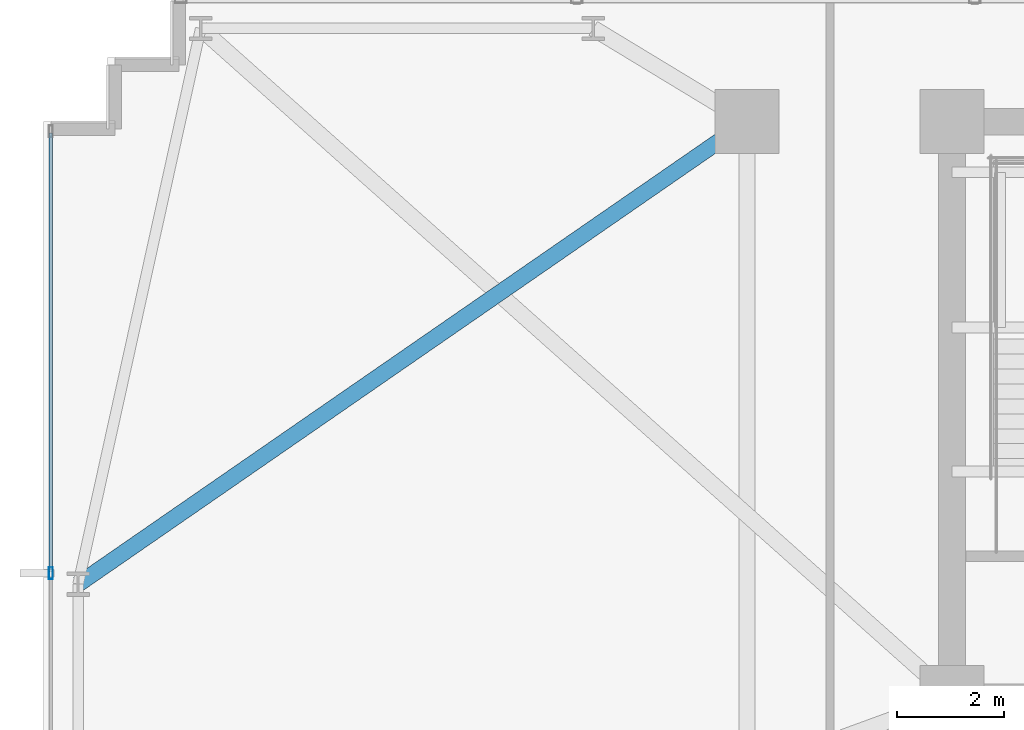
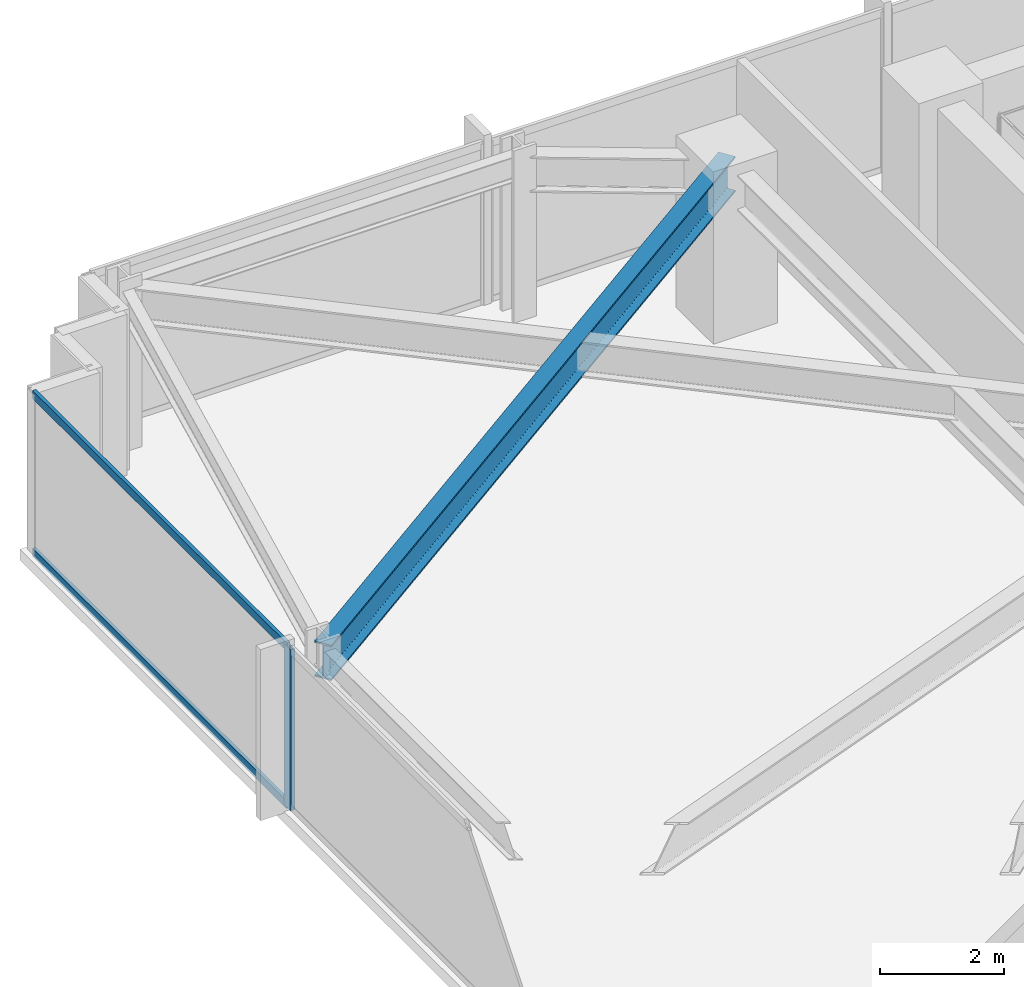
# One storey, part 9 of 32: 3 members, 1 beam, 1 element without a shape of its own.
"""IFC4 building model written with IfcOpenShell, lengths in metres."""

from ifc_helpers import new_model, si_unit, direction, frame, origin, origin_2d, place, context, subcontext, project, spatial, hollow_rectangle, i_section, extrude, material, material_profile, profile_set, type_object, element, aggregate, save


model = new_model("IFC4")

# Units and contexts
model_context = context("Model", 3, precision=1e-05, world=origin(), true_north=direction((0.0, 1.0)))
body_context = subcontext(model_context, "Body", "Model", "MODEL_VIEW")
ifc_project = project(units=[si_unit("LENGTHUNIT", "METRE"), si_unit("AREAUNIT", "SQUARE_METRE"), si_unit("VOLUMEUNIT", "CUBIC_METRE"), si_unit("PLANEANGLEUNIT", "RADIAN"), si_unit("MASSUNIT", "GRAM", prefix="KILO")], contexts=[model_context])

# Site, building, storey
site_placement = place(None, origin())
site = spatial("IfcSite", under=ifc_project, at=site_placement, CompositionType="ELEMENT")
building_placement = place(site_placement, origin())
building = spatial("IfcBuilding", under=site, at=building_placement, Name="Yelkora Congress Tower", CompositionType="ELEMENT")
storey_placement = place(building_placement, frame((0.0, 0.0, 57.60009765625)))
storey = spatial("IfcBuildingStorey", under=building, at=storey_placement, Name="L14", CompositionType="ELEMENT", Elevation=57.60009765625)

# Beam
ifc_material_1 = material(Name="Steel S355J2", Category="steel")
ifc_material_profile_1 = material_profile(ifc_material_1, i_section(OverallWidth=0.300048828125, OverallDepth=0.699951171875, WebThickness=0.01708984375, FlangeThickness=0.031982421875, FilletRadius=0.027099609375, at=origin_2d()), Name="HEB 700")
ifc_profile_set_1 = profile_set([ifc_material_profile_1], Name="Steel S355J2")
beam_type = type_object("IfcBeamType", Name="BM-GIRD-HEB700", PredefinedType="BEAM", material=ifc_profile_set_1)
beam_placement = place(storey_placement, frame((6.64990234375, 37.52490234375, 2.829833984375), z_axis=(0.822604454175, 0.568614027238, 0.0), x_axis=(-0.568614027238, 0.822604454175, 0.0)))
element("IfcBeam", 1, at=beam_placement, inside=storey, type_object=beam_type, Name="L14 Primary Frame Girder W03", PredefinedType="BEAM", context=body_context, shape_type="SweptSolid", body=[
    extrude(i_section(OverallWidth=0.300048828125, OverallDepth=0.699951171875, WebThickness=0.01708984375, FlangeThickness=0.031982421875, FilletRadius=0.027099609375, at=origin_2d()), origin(), (0.0, 0.0, 1.0), 15.256591796875),
])

# Curtain wall, members
ifc_material_2 = material(Name="Anodised aluminium and insulated glass", Category="aluminium")
curtain_wall_type = type_object("IfcCurtainWallType", Name="CW-SYS-B1", PredefinedType="NOTDEFINED", material=ifc_material_2)
curtain_wall_placement = place(storey_placement, origin())
curtain_wall = element("IfcCurtainWall", 2, at=curtain_wall_placement, inside=storey, type_object=curtain_wall_type, Name="L14 Unitised Curtain Wall 5", PredefinedType="NOTDEFINED")
ifc_material_3 = material(Name="Anodised aluminium 6063-T6", Category="aluminium")
ifc_material_profile_2 = material_profile(ifc_material_3, hollow_rectangle(XDim=0.074951171875, YDim=0.219970703125, WallThickness=0.0048828125, at=origin_2d()), Name="ALU 75x220x5")
ifc_profile_set_2 = profile_set([ifc_material_profile_2], Name="Anodised aluminium 6063-T6")
member_type_1 = type_object("IfcMemberType", Name="MEM-ML-B1", PredefinedType="MULLION", material=ifc_profile_set_2)
member_1_placement = place(storey_placement, frame((6.139892578125, 37.72998046875, 0.0), z_axis=(0.0, 0.0, 1.0), x_axis=(-1.0, 0.0, 0.0)))
member_1 = element("IfcMember", 3, at=member_1_placement, type_object=member_type_1, Name="CW-B1 mullion 4", PredefinedType="MULLION", context=body_context, shape_type="SweptSolid", body=[
    extrude(hollow_rectangle(XDim=0.074951171875, YDim=0.219970703125, WallThickness=0.0048828125, at=origin_2d()), origin(), (0.0, 0.0, 1.0), 3.179931640625),
])
ifc_material_profile_3 = material_profile(ifc_material_3, hollow_rectangle(XDim=0.06494140625, YDim=0.159912109375, WallThickness=0.00390625, at=origin_2d()), Name="ALU 65x160x4")
ifc_profile_set_3 = profile_set([ifc_material_profile_3], Name="Anodised aluminium 6063-T6")
member_type_2 = type_object("IfcMemberType", Name="MEM-TR-B1", PredefinedType="USERDEFINED", material=ifc_profile_set_3)
member_2_placement = place(storey_placement, frame((6.139892578125, 37.767578125, 0.032470703125), z_axis=(0.0, 1.0, 0.0), x_axis=(-1.0, 0.0, 0.0)))
member_2 = element("IfcMember", 4, at=member_2_placement, type_object=member_type_2, Name="CW-B1 transom 4.1", ObjectType="TRANSOM", PredefinedType="USERDEFINED", context=body_context, shape_type="SweptSolid", body=[
    extrude(hollow_rectangle(XDim=0.06494140625, YDim=0.159912109375, WallThickness=0.00390625, at=origin_2d()), origin(), (0.0, 0.0, 1.0), 8.217529296875),
])
member_3_placement = place(storey_placement, frame((6.139892578125, 37.767578125, 3.1474609375), z_axis=(0.0, 1.0, 0.0), x_axis=(-1.0, 0.0, 0.0)))
member_3 = element("IfcMember", 5, at=member_3_placement, type_object=member_type_2, Name="CW-B1 transom 4.2", ObjectType="TRANSOM", PredefinedType="USERDEFINED", context=body_context, shape_type="SweptSolid", body=[
    extrude(hollow_rectangle(XDim=0.06494140625, YDim=0.159912109375, WallThickness=0.00390625, at=origin_2d()), origin(), (0.0, 0.0, 1.0), 8.217529296875),
])
aggregate(curtain_wall, [member_1, member_2, member_3])

save(model, "model.ifc")
